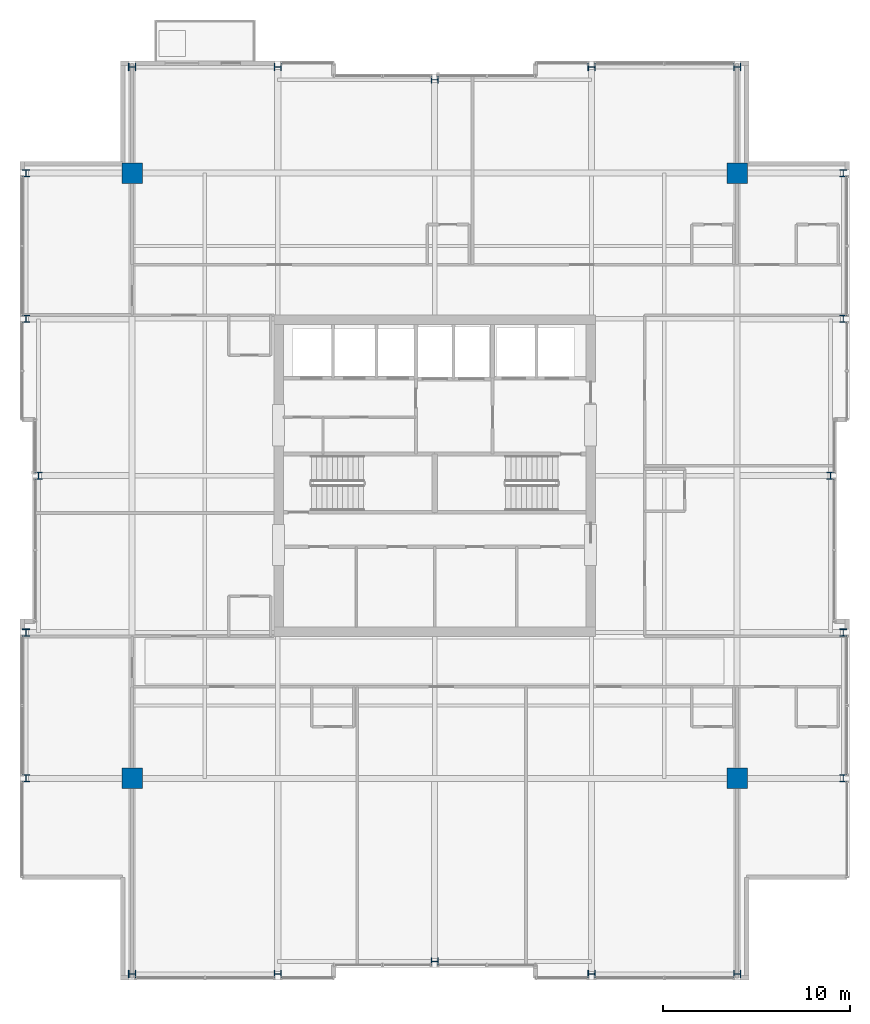
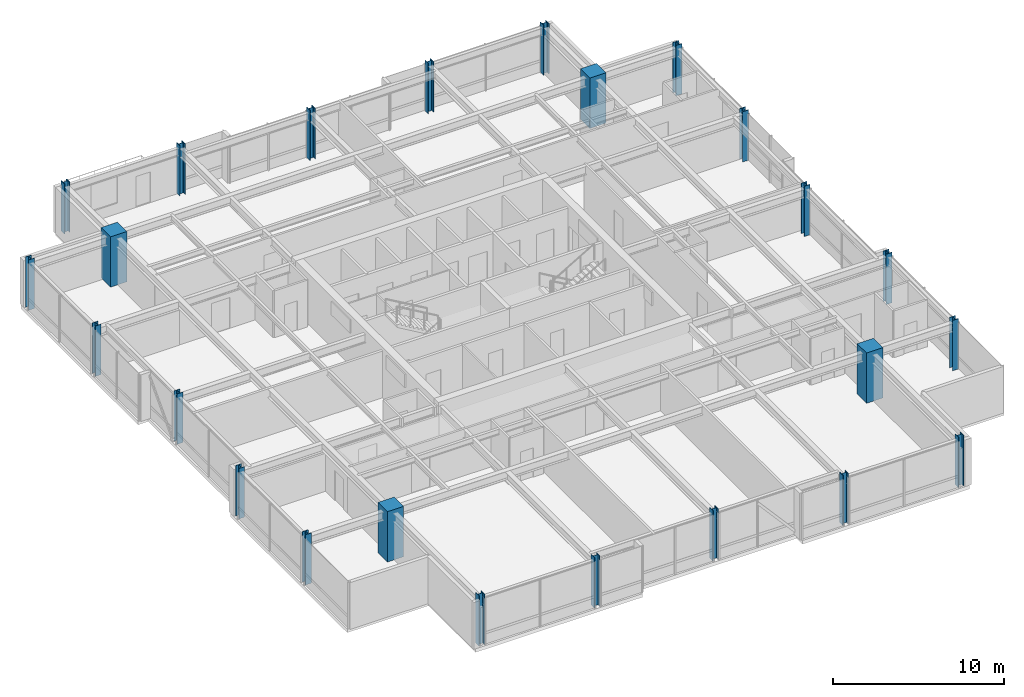
# One storey, part 1 of 31: 24 columns.
"""IFC4 building model written with IfcOpenShell, lengths in metres."""

from ifc_helpers import new_model, si_unit, direction, frame, origin, origin_2d, place, context, subcontext, project, spatial, rectangle, i_section, extrude, material, material_profile, profile_set, type_object, element, save


model = new_model("IFC4")

# Units and contexts
model_context = context("Model", 3, precision=1e-05, world=origin(), true_north=direction((0.0, 1.0)))
body_context = subcontext(model_context, "Body", "Model", "MODEL_VIEW")
ifc_project = project(units=[si_unit("LENGTHUNIT", "METRE"), si_unit("AREAUNIT", "SQUARE_METRE"), si_unit("VOLUMEUNIT", "CUBIC_METRE"), si_unit("PLANEANGLEUNIT", "RADIAN"), si_unit("MASSUNIT", "GRAM", prefix="KILO")], contexts=[model_context])

# Site, building, storey
site_placement = place(None, origin())
site = spatial("IfcSite", under=ifc_project, at=site_placement, CompositionType="ELEMENT")
building_placement = place(site_placement, origin())
building = spatial("IfcBuilding", under=site, at=building_placement, Name="Drelvath Grand Hotel", CompositionType="ELEMENT")
storey_placement = place(building_placement, frame((0.0, 0.0, 219.5)))
storey = spatial("IfcBuildingStorey", under=building, at=storey_placement, Name="L57", CompositionType="ELEMENT", Elevation=219.5)

# Columns
ifc_material_1 = material(Name="Concrete f'c 55 MPa", Category="concrete")
ifc_material_profile_1 = material_profile(ifc_material_1, rectangle(XDim=1.10009765625, YDim=1.10009765625, at=origin_2d()), Name="MC1100X1100")
ifc_profile_set_1 = profile_set([ifc_material_profile_1], Name="Concrete f'c 55 MPa")
column_type_1 = type_object("IfcColumnType", Name="Composite Mega Column MC1100X1100", PredefinedType="COLUMN", material=ifc_profile_set_1)
for number, where, z_axis, x_axis, name in (
    (1, (-16.199951171875, 10.800048828125, 0.0), (0.0, 0.0, 1.0), (1.0, 0.0, 0.0), "L57 Composite Mega Column MC-SW"),
    (2, (16.199951171875, 10.800048828125, 0.0), (0.0, 0.0, 1.0), (1.0, 0.0, 0.0), "L57 Composite Mega Column MC-SE"),
    (3, (-16.199951171875, 43.199951171875, 0.0), (0.0, 0.0, 1.0), (1.0, 0.0, 0.0), "L57 Composite Mega Column MC-NW"),
    (4, (16.199951171875, 43.199951171875, 0.0), (0.0, 0.0, 1.0), (1.0, 0.0, 0.0), "L57 Composite Mega Column MC-NE"),
):
    element("IfcColumn", number, at=place(storey_placement, frame(where, z_axis=z_axis, x_axis=x_axis)), inside=storey, type_object=column_type_1, Name=name, PredefinedType="COLUMN", context=body_context, shape_type="SweptSolid", body=[
        extrude(rectangle(XDim=1.10009765625, YDim=1.10009765625, at=origin_2d()), origin(), (0.0, 0.0, 1.0), 3.60009765625),
    ])
ifc_material_2 = material(Name="Steel ASTM A913 Gr 65", Category="steel")
ifc_material_profile_2 = material_profile(ifc_material_2, i_section(OverallWidth=0.3974609375, OverallDepth=0.38671875, WebThickness=0.02099609375, FlangeThickness=0.033203125, FilletRadius=0.02490234375, at=origin_2d()), Name="W14X176")
ifc_profile_set_2 = profile_set([ifc_material_profile_2], Name="Steel ASTM A913 Gr 65")
column_type_2 = type_object("IfcColumnType", Name="Perimeter Steel Column W14X176", PredefinedType="COLUMN", material=ifc_profile_set_2)
for number, where, z_axis, x_axis, name in (
    (5, (-21.8798828125, 10.800048828125, 0.0), (0.0, 0.0, 1.0), (1.0, 0.0, 0.0), "L57 Structural Column TCW-C"),
    (6, (21.8798828125, 10.800048828125, 0.0), (0.0, 0.0, 1.0), (1.0, 0.0, 0.0), "L57 Structural Column TCE-C"),
    (7, (-21.8798828125, 18.60009765625, 0.0), (0.0, 0.0, 1.0), (1.0, 0.0, 0.0), "L57 Structural Column TCW-D"),
    (8, (21.8798828125, 18.60009765625, 0.0), (0.0, 0.0, 1.0), (1.0, 0.0, 0.0), "L57 Structural Column TCE-D"),
    (9, (-21.199951171875, 27.0, 0.0), (0.0, 0.0, 1.0), (1.0, 0.0, 0.0), "L57 Structural Column TCW-E"),
    (10, (21.199951171875, 27.0, 0.0), (0.0, 0.0, 1.0), (1.0, 0.0, 0.0), "L57 Structural Column TCE-E"),
    (11, (-21.8798828125, 35.39990234375, 0.0), (0.0, 0.0, 1.0), (1.0, 0.0, 0.0), "L57 Structural Column TCW-F"),
    (12, (21.8798828125, 35.39990234375, 0.0), (0.0, 0.0, 1.0), (1.0, 0.0, 0.0), "L57 Structural Column TCE-F"),
    (13, (-21.8798828125, 43.199951171875, 0.0), (0.0, 0.0, 1.0), (1.0, 0.0, 0.0), "L57 Structural Column TCW-G"),
    (14, (21.8798828125, 43.199951171875, 0.0), (0.0, 0.0, 1.0), (1.0, 0.0, 0.0), "L57 Structural Column TCE-G"),
    (15, (-16.199951171875, 0.320068359375, 0.0), (0.0, 0.0, 1.0), (0.0, 1.0, 0.0), "L57 Structural Column TCS-3"),
    (16, (-16.199951171875, 48.8798828125, 0.0), (0.0, 0.0, 1.0), (0.0, 1.0, 0.0), "L57 Structural Column TCN-3"),
    (17, (-8.39990234375, 0.320068359375, 0.0), (0.0, 0.0, 1.0), (0.0, 1.0, 0.0), "L57 Structural Column TCS-4"),
    (18, (-8.39990234375, 48.8798828125, 0.0), (0.0, 0.0, 1.0), (0.0, 1.0, 0.0), "L57 Structural Column TCN-4"),
    (19, (0.0, 1.0, 0.0), (0.0, 0.0, 1.0), (0.0, 1.0, 0.0), "L57 Structural Column TCS-5"),
    (20, (0.0, 48.199951171875, 0.0), (0.0, 0.0, 1.0), (0.0, 1.0, 0.0), "L57 Structural Column TCN-5"),
    (21, (8.39990234375, 0.320068359375, 0.0), (0.0, 0.0, 1.0), (0.0, 1.0, 0.0), "L57 Structural Column TCS-6"),
    (22, (8.39990234375, 48.8798828125, 0.0), (0.0, 0.0, 1.0), (0.0, 1.0, 0.0), "L57 Structural Column TCN-6"),
    (23, (16.199951171875, 0.320068359375, 0.0), (0.0, 0.0, 1.0), (0.0, 1.0, 0.0), "L57 Structural Column TCS-7"),
    (24, (16.199951171875, 48.8798828125, 0.0), (0.0, 0.0, 1.0), (0.0, 1.0, 0.0), "L57 Structural Column TCN-7"),
):
    element("IfcColumn", number, at=place(storey_placement, frame(where, z_axis=z_axis, x_axis=x_axis)), inside=storey, type_object=column_type_2, Name=name, PredefinedType="COLUMN", context=body_context, shape_type="SweptSolid", body=[
        extrude(i_section(OverallWidth=0.3974609375, OverallDepth=0.38671875, WebThickness=0.02099609375, FlangeThickness=0.033203125, FilletRadius=0.02490234375, at=origin_2d()), origin(), (0.0, 0.0, 1.0), 3.596923828125),
    ])

save(model, "model.ifc")
